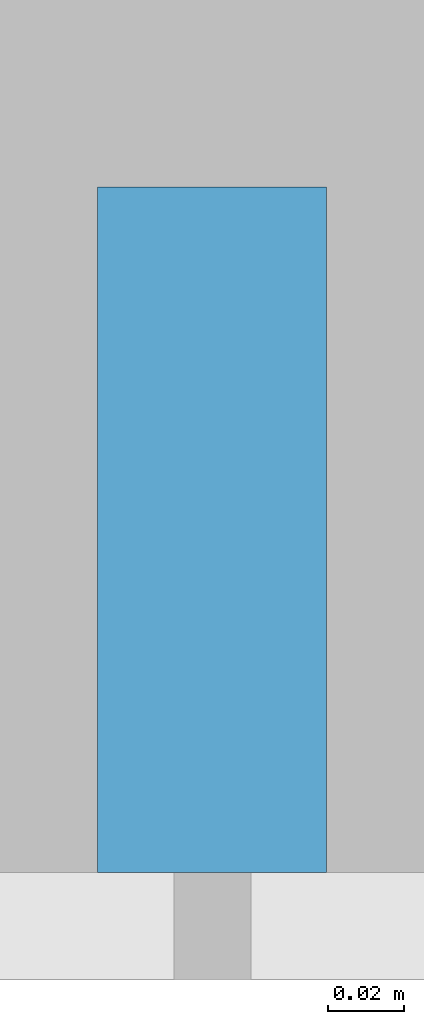
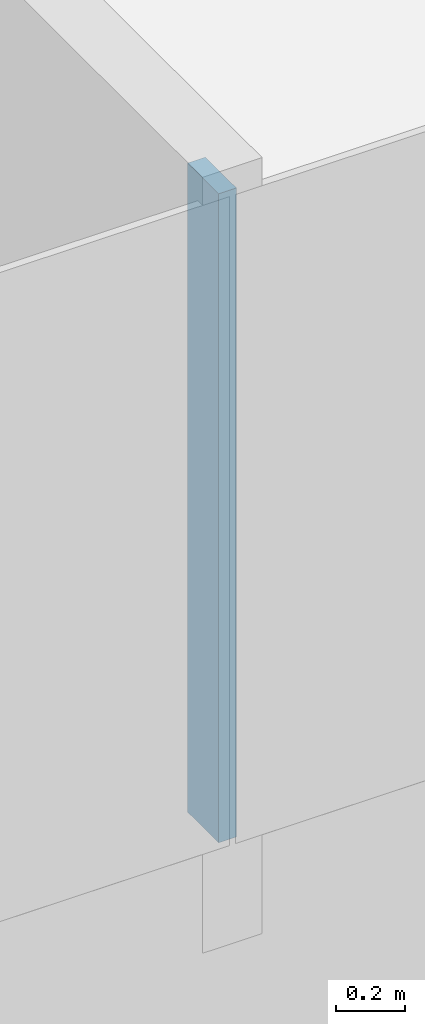
# One storey, part 5 of 26: 1 member, 1 element without a shape of its own.
"""IFC4 building model written with IfcOpenShell, lengths in metres."""

from ifc_helpers import new_model, si_unit, direction, frame, origin, origin_2d, place, context, subcontext, project, spatial, rectangle, extrude, material, layer, layer_set, material_profile, profile_set, type_object, element, aggregate, save


model = new_model("IFC4")

# Units and contexts
model_context = context("Model", 3, precision=1e-05, world=origin(), true_north=direction((0.0, 1.0)))
body_context = subcontext(model_context, "Body", "Model", "MODEL_VIEW")
ifc_project = project(units=[si_unit("LENGTHUNIT", "METRE"), si_unit("AREAUNIT", "SQUARE_METRE"), si_unit("VOLUMEUNIT", "CUBIC_METRE"), si_unit("PLANEANGLEUNIT", "RADIAN"), si_unit("MASSUNIT", "GRAM", prefix="KILO")], contexts=[model_context])

# Site, building, storey
site_placement = place(None, origin())
site = spatial("IfcSite", under=ifc_project, at=site_placement, CompositionType="ELEMENT")
building_placement = place(site_placement, origin())
building = spatial("IfcBuilding", under=site, at=building_placement, Name="Hakoniwa Tower and Hamabe Station Hall", CompositionType="ELEMENT")
storey_placement = place(building_placement, frame((0.0, 0.0, 156.60009765625)))
storey = spatial("IfcBuildingStorey", under=building, at=storey_placement, Name="L44", CompositionType="ELEMENT", Elevation=156.60009765625)

# Curtain wall, member
ifc_material_1 = material(Name="Dark low-e laminated glass", Category="glass")
ifc_layer = layer(ifc_material_1, 0.199951171875)
ifc_layer_set = layer_set([ifc_layer], Name="CW-1 UNITISED GUEST")
curtain_wall_type = type_object("IfcCurtainWallType", Name="CW-1 UNITISED GUEST", PredefinedType="NOTDEFINED", material=ifc_layer_set)
curtain_wall_placement = place(storey_placement, origin())
curtain_wall = element("IfcCurtainWall", 1, at=curtain_wall_placement, inside=storey, type_object=curtain_wall_type, Name="CW-1 curtain wall", PredefinedType="NOTDEFINED")
ifc_material_2 = material(Name="Aluminium 6063-T5 black anodised", Category="aluminium")
ifc_material_profile = material_profile(ifc_material_2, rectangle(XDim=0.06005859375, YDim=0.179931640625, at=origin_2d()), Name="CW-1 MULLION 60X180")
ifc_profile_set = profile_set([ifc_material_profile], Name="Aluminium 6063-T5 black anodised")
member_type = type_object("IfcMemberType", Name="CW-1 MULLION 60X180", PredefinedType="MULLION", material=ifc_profile_set)
member_placement = place(storey_placement, frame((8.39990234375, -19.181884765625, 0.349853515625), z_axis=(0.0, 0.0, 1.0), x_axis=(1.0, 0.0, 0.0)))
member = element("IfcMember", 2, at=member_placement, type_object=member_type, Name="CW-1 mullion", PredefinedType="MULLION", context=body_context, shape_type="SweptSolid", body=[
    extrude(rectangle(XDim=0.06005859375, YDim=0.179931640625, at=origin_2d()), origin(), (0.0, 0.0, 1.0), 2.300048828125),
])
aggregate(curtain_wall, [member])

save(model, "model.ifc")
